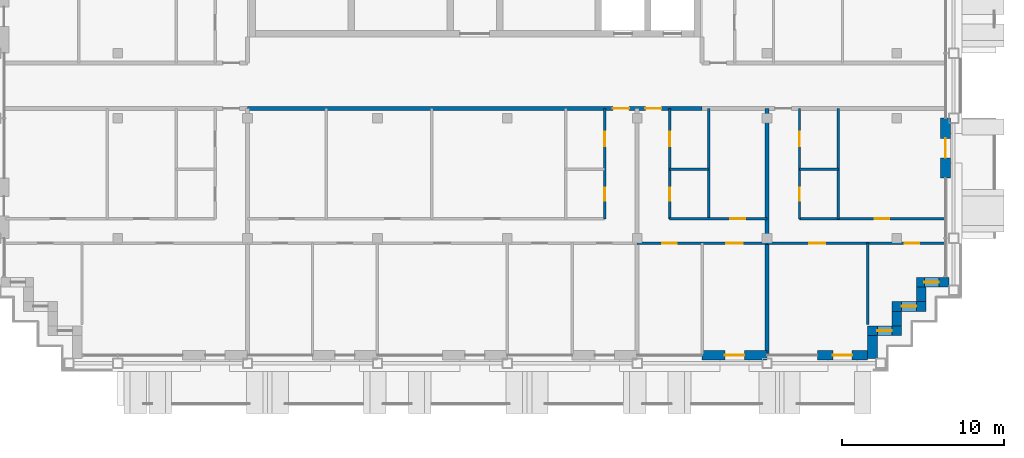
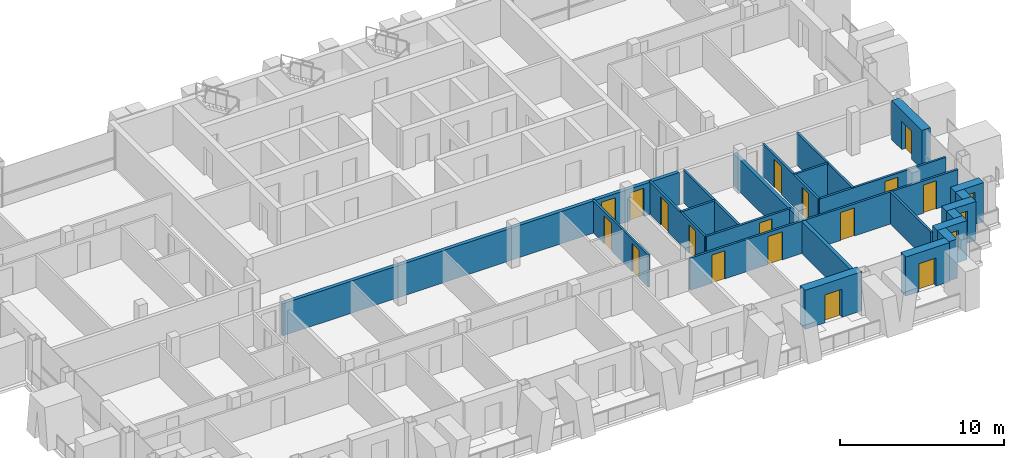
# One storey, part 9 of 15: 23 walls, 17 doors, 3 windows, 20 openings.
"""IFC4 building model written with IfcOpenShell, lengths in metres."""

from ifc_helpers import new_model, si_unit, direction, frame, frame_2d, origin, place, context, subcontext, project, spatial, rectangle, extrude, material, layer, layer_set, type_object, element, fill, save


model = new_model("IFC4")

# Units and contexts
model_context = context("Model", 3, precision=1e-05, world=origin(), true_north=direction((0.0, 1.0)))
body_context = subcontext(model_context, "Body", "Model", "MODEL_VIEW")
ifc_project = project(units=[si_unit("LENGTHUNIT", "METRE"), si_unit("AREAUNIT", "SQUARE_METRE"), si_unit("VOLUMEUNIT", "CUBIC_METRE"), si_unit("PLANEANGLEUNIT", "RADIAN"), si_unit("MASSUNIT", "GRAM", prefix="KILO")], contexts=[model_context])

# Site, building, storey
site_placement = place(None, origin())
site = spatial("IfcSite", under=ifc_project, at=site_placement, CompositionType="ELEMENT")
building_placement = place(site_placement, origin())
building = spatial("IfcBuilding", under=site, at=building_placement, Name="Vidyagriha Tower", CompositionType="ELEMENT")
storey_placement = place(building_placement, frame((0.0, 0.0, 210.800048828125)))
storey = spatial("IfcBuildingStorey", under=building, at=storey_placement, Name="L54", CompositionType="ELEMENT", Elevation=210.800048828125)

# Wall, opening, door
ifc_material_1 = material(Name="Precast concrete C40/50 with brick facing", Category="concrete")
ifc_layer_1 = layer(ifc_material_1, 0.60009765625)
ifc_layer_set_1 = layer_set([ifc_layer_1], Name="Precast concrete C40/50 with brick facing")
wall_type_1 = type_object("IfcWallType", Name="Brick-faced precast wall 600", PredefinedType="STANDARD", material=ifc_layer_set_1)
wall_1_placement = place(storey_placement, frame((14.0, -16.60009765625, 0.0)))
wall_1 = element("IfcWall", 1, at=wall_1_placement, inside=storey, type_object=wall_type_1, Name="Brick door bay wall L54 R23.11", PredefinedType="STANDARD", context=body_context, shape_type="SweptSolid", body=[
    extrude(rectangle(XDim=4.0, YDim=0.60009765625, at=frame_2d((2.0, 0.0))), origin(), (0.0, 0.0, 1.0), 2.919921875),
])
opening_1_placement = place(wall_1_placement, frame((1.39990234375, 0.0, 0.0)))
opening_1 = element("IfcOpeningElement", 2, at=opening_1_placement, cuts=wall_1, Name="Opening D54-65", PredefinedType="OPENING", context=body_context, shape_type="SweptSolid", body=[
    extrude(rectangle(XDim=1.199951171875, YDim=2.10009765625, at=frame_2d((0.60009765625, 1.050048828125))), frame((0.0, 0.31005859375, 0.0), z_axis=(0.0, -1.0, 0.0), x_axis=(1.0, 0.0, 0.0)), (0.0, 0.0, 1.0), 0.6201171875),
])
ifc_material_2 = material(Name="Aluminium framed glazed sliding door", Category="aluminium")
door_type_1 = type_object("IfcDoorType", Name="Balcony sliding door 1200x2100", OperationType="NOTDEFINED", PredefinedType="DOOR", material=ifc_material_2)
door_1_placement = place(opening_1_placement, origin())
door_1 = element("IfcDoor", 3, at=door_1_placement, inside=storey, type_object=door_type_1, Name="Door D54-65", OperationType="SLIDING_TO_LEFT", OverallHeight=2.10009765625, OverallWidth=1.199951171875, PredefinedType="DOOR", context=body_context, shape_type="SweptSolid", body=[
    extrude(rectangle(XDim=1.199951171875, YDim=2.10009765625, at=frame_2d((0.60009765625, 1.050048828125))), frame((0.0, 0.02490234375, 0.0), z_axis=(0.0, -1.0, 0.0), x_axis=(1.0, 0.0, 0.0)), (0.0, 0.0, 1.0), 0.050048828125),
])
fill(opening_1, door_1)

wall_2_placement = place(storey_placement, frame((21.10009765625, -16.60009765625, 0.0)))
wall_2 = element("IfcWall", 4, at=wall_2_placement, inside=storey, type_object=wall_type_1, Name="Brick door bay wall L54 R23.13", PredefinedType="STANDARD", context=body_context, shape_type="SweptSolid", body=[
    extrude(rectangle(XDim=3.099853515625, YDim=0.60009765625, at=frame_2d((1.5498046875, 0.0))), origin(), (0.0, 0.0, 1.0), 2.919921875),
])
opening_2_placement = place(wall_2_placement, frame((0.949951171875, 0.0, 0.0)))
opening_2 = element("IfcOpeningElement", 5, at=opening_2_placement, cuts=wall_2, Name="Opening D54-66", PredefinedType="OPENING", context=body_context, shape_type="SweptSolid", body=[
    extrude(rectangle(XDim=1.199951171875, YDim=2.10009765625, at=frame_2d((0.60009765625, 1.050048828125))), frame((0.0, 0.31005859375, 0.0), z_axis=(0.0, -1.0, 0.0), x_axis=(1.0, 0.0, 0.0)), (0.0, 0.0, 1.0), 0.6201171875),
])
door_2_placement = place(opening_2_placement, origin())
door_2 = element("IfcDoor", 6, at=door_2_placement, inside=storey, type_object=door_type_1, Name="Door D54-66", OperationType="SLIDING_TO_LEFT", OverallHeight=2.10009765625, OverallWidth=1.199951171875, PredefinedType="DOOR", context=body_context, shape_type="SweptSolid", body=[
    extrude(rectangle(XDim=1.199951171875, YDim=2.10009765625, at=frame_2d((0.60009765625, 1.050048828125))), frame((0.0, 0.02490234375, 0.0), z_axis=(0.0, -1.0, 0.0), x_axis=(1.0, 0.0, 0.0)), (0.0, 0.0, 1.0), 0.050048828125),
])
fill(opening_2, door_2)

# Wall
wall_3_placement = place(storey_placement, frame((24.5, -16.800048828125, 0.0), z_axis=(0.0, 0.0, 1.0), x_axis=(0.0, 1.0, 0.0)))
element("IfcWall", 7, at=wall_3_placement, inside=storey, type_object=wall_type_1, Name="Stepped corner wall L54 R24", PredefinedType="STANDARD", context=body_context, shape_type="SweptSolid", body=[
    extrude(rectangle(XDim=1.400146484375, YDim=0.60009765625, at=frame_2d((0.7001953125, 0.0))), origin(), (0.0, 0.0, 1.0), 2.919921875),
])

# Wall, opening, window
wall_4_placement = place(storey_placement, frame((24.199951171875, -15.10009765625, 0.0)))
wall_4 = element("IfcWall", 8, at=wall_4_placement, inside=storey, type_object=wall_type_1, Name="Stepped corner wall L54 R25", PredefinedType="STANDARD", context=body_context, shape_type="SweptSolid", body=[
    extrude(rectangle(XDim=2.10009765625, YDim=0.60009765625, at=frame_2d((1.050048828125, 0.0))), origin(), (0.0, 0.0, 1.0), 2.919921875),
])
opening_3_placement = place(wall_4_placement, frame((0.60009765625, 0.0, 0.89990234375)))
opening_3 = element("IfcOpeningElement", 9, at=opening_3_placement, cuts=wall_4, Name="Opening WN1", PredefinedType="OPENING", context=body_context, shape_type="SweptSolid", body=[
    extrude(rectangle(XDim=0.89990234375, YDim=1.5, at=frame_2d((0.449951171875, 0.75))), frame((0.0, 0.31005859375, 0.0), z_axis=(0.0, -1.0, 0.0), x_axis=(1.0, 0.0, 0.0)), (0.0, 0.0, 1.0), 0.6201171875),
])
ifc_material_3 = material(Name="Aluminium and glass window", Category="aluminium")
window_type = type_object("IfcWindowType", Name="Reveal window 900x1500", PartitioningType="NOTDEFINED", PredefinedType="WINDOW", material=ifc_material_3)
window_1_placement = place(opening_3_placement, origin())
window_1 = element("IfcWindow", 10, at=window_1_placement, inside=storey, type_object=window_type, Name="Reveal window L54 R25", OverallHeight=1.5, OverallWidth=0.89990234375, PartitioningType="SINGLE_PANEL", PredefinedType="WINDOW", context=body_context, shape_type="SweptSolid", body=[
    extrude(rectangle(XDim=0.89990234375, YDim=1.5, at=frame_2d((0.449951171875, 0.75))), frame((0.0, 0.030029296875, 0.0), z_axis=(0.0, -1.0, 0.0), x_axis=(1.0, 0.0, 0.0)), (0.0, 0.0, 1.0), 0.06005859375),
])
fill(opening_3, window_1)

# Wall
wall_5_placement = place(storey_placement, frame((26.0, -14.800048828125, 0.0), z_axis=(0.0, 0.0, 1.0), x_axis=(0.0, 1.0, 0.0)))
element("IfcWall", 11, at=wall_5_placement, inside=storey, type_object=wall_type_1, Name="Stepped corner wall L54 R26", PredefinedType="STANDARD", context=body_context, shape_type="SweptSolid", body=[
    extrude(rectangle(XDim=0.900146484375, YDim=0.60009765625, at=frame_2d((0.4501953125, 0.0))), origin(), (0.0, 0.0, 1.0), 2.919921875),
])

# Wall, opening, window
wall_6_placement = place(storey_placement, frame((25.699951171875, -13.60009765625, 0.0)))
wall_6 = element("IfcWall", 12, at=wall_6_placement, inside=storey, type_object=wall_type_1, Name="Stepped corner wall L54 R27", PredefinedType="STANDARD", context=body_context, shape_type="SweptSolid", body=[
    extrude(rectangle(XDim=2.10009765625, YDim=0.60009765625, at=frame_2d((1.050048828125, 0.0))), origin(), (0.0, 0.0, 1.0), 2.919921875),
])
opening_4_placement = place(wall_6_placement, frame((0.60009765625, 0.0, 0.89990234375)))
opening_4 = element("IfcOpeningElement", 13, at=opening_4_placement, cuts=wall_6, Name="Opening WN1", PredefinedType="OPENING", context=body_context, shape_type="SweptSolid", body=[
    extrude(rectangle(XDim=0.89990234375, YDim=1.5, at=frame_2d((0.449951171875, 0.75))), frame((0.0, 0.31005859375, 0.0), z_axis=(0.0, -1.0, 0.0), x_axis=(1.0, 0.0, 0.0)), (0.0, 0.0, 1.0), 0.6201171875),
])
window_2_placement = place(opening_4_placement, origin())
window_2 = element("IfcWindow", 14, at=window_2_placement, inside=storey, type_object=window_type, Name="Reveal window L54 R27", OverallHeight=1.5, OverallWidth=0.89990234375, PartitioningType="SINGLE_PANEL", PredefinedType="WINDOW", context=body_context, shape_type="SweptSolid", body=[
    extrude(rectangle(XDim=0.89990234375, YDim=1.5, at=frame_2d((0.449951171875, 0.75))), frame((0.0, 0.030029296875, 0.0), z_axis=(0.0, -1.0, 0.0), x_axis=(1.0, 0.0, 0.0)), (0.0, 0.0, 1.0), 0.06005859375),
])
fill(opening_4, window_2)

# Wall
wall_7_placement = place(storey_placement, frame((27.5, -13.300048828125, 0.0), z_axis=(0.0, 0.0, 1.0), x_axis=(0.0, 1.0, 0.0)))
element("IfcWall", 15, at=wall_7_placement, inside=storey, type_object=wall_type_1, Name="Stepped corner wall L54 R28", PredefinedType="STANDARD", context=body_context, shape_type="SweptSolid", body=[
    extrude(rectangle(XDim=0.900146484375, YDim=0.60009765625, at=frame_2d((0.4501953125, 0.0))), origin(), (0.0, 0.0, 1.0), 2.919921875),
])

# Wall, opening, window
wall_8_placement = place(storey_placement, frame((27.199951171875, -12.10009765625, 0.0)))
wall_8 = element("IfcWall", 16, at=wall_8_placement, inside=storey, type_object=wall_type_1, Name="Stepped corner wall L54 R29", PredefinedType="STANDARD", context=body_context, shape_type="SweptSolid", body=[
    extrude(rectangle(XDim=2.0, YDim=0.60009765625, at=frame_2d((1.0, 0.0))), origin(), (0.0, 0.0, 1.0), 2.919921875),
])
opening_5_placement = place(wall_8_placement, frame((0.489990234375, 0.0, 0.89990234375)))
opening_5 = element("IfcOpeningElement", 17, at=opening_5_placement, cuts=wall_8, Name="Opening WN1", PredefinedType="OPENING", context=body_context, shape_type="SweptSolid", body=[
    extrude(rectangle(XDim=0.89990234375, YDim=1.5, at=frame_2d((0.449951171875, 0.75))), frame((0.0, 0.31005859375, 0.0), z_axis=(0.0, -1.0, 0.0), x_axis=(1.0, 0.0, 0.0)), (0.0, 0.0, 1.0), 0.6201171875),
])
window_3_placement = place(opening_5_placement, origin())
window_3 = element("IfcWindow", 18, at=window_3_placement, inside=storey, type_object=window_type, Name="Reveal window L54 R29", OverallHeight=1.5, OverallWidth=0.89990234375, PartitioningType="SINGLE_PANEL", PredefinedType="WINDOW", context=body_context, shape_type="SweptSolid", body=[
    extrude(rectangle(XDim=0.89990234375, YDim=1.5, at=frame_2d((0.449951171875, 0.75))), frame((0.0, 0.030029296875, 0.0), z_axis=(0.0, -1.0, 0.0), x_axis=(1.0, 0.0, 0.0)), (0.0, 0.0, 1.0), 0.06005859375),
])
fill(opening_5, window_3)

# Wall, opening, door
wall_9_placement = place(storey_placement, frame((29.0, -5.699951171875, 0.0), z_axis=(0.0, 0.0, 1.0), x_axis=(0.0, 1.0, 0.0)))
wall_9 = element("IfcWall", 19, at=wall_9_placement, inside=storey, type_object=wall_type_1, Name="Brick door bay wall L54 R30.3", PredefinedType="STANDARD", context=body_context, shape_type="SweptSolid", body=[
    extrude(rectangle(XDim=3.699951171875, YDim=0.60009765625, at=frame_2d((1.85009765625, 0.0))), origin(), (0.0, 0.0, 1.0), 2.919921875),
])
opening_6_placement = place(wall_9_placement, frame((1.25, 0.0, 0.0)))
opening_6 = element("IfcOpeningElement", 20, at=opening_6_placement, cuts=wall_9, Name="Opening D54-67", PredefinedType="OPENING", context=body_context, shape_type="SweptSolid", body=[
    extrude(rectangle(XDim=1.199951171875, YDim=2.10009765625, at=frame_2d((0.60009765625, 1.050048828125))), frame((0.0, 0.31005859375, 0.0), z_axis=(0.0, -1.0, 0.0), x_axis=(1.0, 0.0, 0.0)), (0.0, 0.0, 1.0), 0.6201171875),
])
door_3_placement = place(opening_6_placement, origin())
door_3 = element("IfcDoor", 21, at=door_3_placement, inside=storey, type_object=door_type_1, Name="Door D54-67", OperationType="SLIDING_TO_LEFT", OverallHeight=2.10009765625, OverallWidth=1.199951171875, PredefinedType="DOOR", context=body_context, shape_type="SweptSolid", body=[
    extrude(rectangle(XDim=1.199951171875, YDim=2.10009765625, at=frame_2d((0.60009765625, 1.050048828125))), frame((0.0, 0.02490234375, 0.0), z_axis=(0.0, -1.0, 0.0), x_axis=(1.0, 0.0, 0.0)), (0.0, 0.0, 1.0), 0.050048828125),
])
fill(opening_6, door_3)

# Wall, openings, doors
ifc_material_4 = material(Name="Fired clay brick masonry", Category="masonry")
ifc_layer_2 = layer(ifc_material_4, 0.25)
ifc_layer_set_2 = layer_set([ifc_layer_2], Name="Fired clay brick masonry")
wall_type_2 = type_object("IfcWallType", Name="Fired clay brick corridor wall 250", PredefinedType="PARTITIONING", material=ifc_layer_set_2)
wall_10_placement = place(storey_placement, frame((14.0, -1.39990234375, 0.0), z_axis=(0.0, 0.0, 1.0), x_axis=(-1.0, 0.0, 0.0)))
wall_10 = element("IfcWall", 22, at=wall_10_placement, inside=storey, type_object=wall_type_2, Name="Wall all-L54-w096", PredefinedType="PARTITIONING", context=body_context, shape_type="SweptSolid", body=[
    extrude(rectangle(XDim=28.0, YDim=0.25, at=frame_2d((14.0, 0.0))), origin(), (0.0, 0.0, 1.0), 2.39990234375),
])
opening_7_placement = place(wall_10_placement, frame((4.5, 0.0, 0.0)))
opening_7 = element("IfcOpeningElement", 23, at=opening_7_placement, cuts=wall_10, Name="Opening D54-32", PredefinedType="OPENING", context=body_context, shape_type="SweptSolid", body=[
    extrude(rectangle(XDim=1.0, YDim=2.10009765625, at=frame_2d((0.5, 1.050048828125))), frame((0.0, 0.135009765625, 0.0), z_axis=(0.0, -1.0, 0.0), x_axis=(1.0, 0.0, 0.0)), (0.0, 0.0, 1.0), 0.27001953125),
])
opening_8_placement = place(wall_10_placement, frame((2.5, 0.0, 0.0)))
opening_8 = element("IfcOpeningElement", 24, at=opening_8_placement, cuts=wall_10, Name="Opening D54-38", PredefinedType="OPENING", context=body_context, shape_type="SweptSolid", body=[
    extrude(rectangle(XDim=1.0, YDim=2.10009765625, at=frame_2d((0.5, 1.050048828125))), frame((0.0, 0.135009765625, 0.0), z_axis=(0.0, -1.0, 0.0), x_axis=(1.0, 0.0, 0.0)), (0.0, 0.0, 1.0), 0.27001953125),
])
ifc_material_5 = material(Name="Fire-rated timber door leaf EI 60", Category="wood")
door_type_2 = type_object("IfcDoorType", Name="Flat entrance fire door 1000x2100", OperationType="NOTDEFINED", PredefinedType="DOOR", material=ifc_material_5)
door_4_placement = place(opening_7_placement, origin())
door_4 = element("IfcDoor", 25, at=door_4_placement, inside=storey, type_object=door_type_2, Name="Door D54-32", OperationType="SINGLE_SWING_LEFT", OverallHeight=2.10009765625, OverallWidth=1.0, PredefinedType="DOOR", context=body_context, shape_type="SweptSolid", body=[
    extrude(rectangle(XDim=1.0, YDim=2.10009765625, at=frame_2d((0.5, 1.050048828125))), frame((0.0, 0.02490234375, 0.0), z_axis=(0.0, -1.0, 0.0), x_axis=(1.0, 0.0, 0.0)), (0.0, 0.0, 1.0), 0.050048828125),
])
fill(opening_7, door_4)
door_5_placement = place(opening_8_placement, origin())
door_5 = element("IfcDoor", 26, at=door_5_placement, inside=storey, type_object=door_type_2, Name="Door D54-38", OperationType="SINGLE_SWING_RIGHT", OverallHeight=2.10009765625, OverallWidth=1.0, PredefinedType="DOOR", context=body_context, shape_type="SweptSolid", body=[
    extrude(rectangle(XDim=1.0, YDim=2.10009765625, at=frame_2d((0.5, 1.050048828125))), frame((0.0, 0.02490234375, 0.0), z_axis=(0.0, -1.0, 0.0), x_axis=(1.0, 0.0, 0.0)), (0.0, 0.0, 1.0), 0.050048828125),
])
fill(opening_8, door_5)

# Walls
ifc_material_6 = material(Name="Fired clay brick masonry", Category="masonry")
ifc_layer_3 = layer(ifc_material_6, 0.25)
ifc_layer_set_3 = layer_set([ifc_layer_3], Name="Fired clay brick masonry")
wall_type_3 = type_object("IfcWallType", Name="Fired clay brick demising wall 250", PredefinedType="PARTITIONING", material=ifc_layer_set_3)
wall_11_placement = place(storey_placement, frame((18.0, -1.39990234375, 0.0), z_axis=(0.0, 0.0, 1.0), x_axis=(0.0, -1.0, 0.0)))
element("IfcWall", 27, at=wall_11_placement, inside=storey, type_object=wall_type_3, Name="Wall all-L54-w063", PredefinedType="PARTITIONING", context=body_context, shape_type="SweptSolid", body=[
    extrude(rectangle(XDim=15.110107421875, YDim=0.25, at=frame_2d((7.55517578125, 0.0))), origin(), (0.0, 0.0, 1.0), 2.39990234375),
])
ifc_material_7 = material(Name="Gypsum board partition")
ifc_layer_4 = layer(ifc_material_7, 0.14990234375)
ifc_layer_set_4 = layer_set([ifc_layer_4], Name="Gypsum board partition")
wall_type_4 = type_object("IfcWallType", Name="Gypsum board partition 150", PredefinedType="PARTITIONING", material=ifc_layer_set_4)
wall_12_placement = place(storey_placement, frame((14.39990234375, -5.14990234375, 0.0), z_axis=(0.0, 0.0, 1.0), x_axis=(-1.0, 0.0, 0.0)))
element("IfcWall", 28, at=wall_12_placement, inside=storey, type_object=wall_type_4, Name="Wall all-L54-w041", PredefinedType="PARTITIONING", context=body_context, shape_type="SweptSolid", body=[
    extrude(rectangle(XDim=2.39990234375, YDim=0.14990234375, at=frame_2d((1.199951171875, 0.0))), origin(), (0.0, 0.0, 1.0), 2.39990234375),
])
wall_13_placement = place(storey_placement, frame((14.39990234375, -1.39990234375, 0.0), z_axis=(0.0, 0.0, 1.0), x_axis=(0.0, -1.0, 0.0)))
element("IfcWall", 29, at=wall_13_placement, inside=storey, type_object=wall_type_4, Name="Wall all-L54-w042", PredefinedType="PARTITIONING", context=body_context, shape_type="SweptSolid", body=[
    extrude(rectangle(XDim=6.800048828125, YDim=0.14990234375, at=frame_2d((3.39990234375, 0.0))), origin(), (0.0, 0.0, 1.0), 2.39990234375),
])

# Wall, opening, door
wall_14_placement = place(storey_placement, frame((12.0, -8.199951171875, 0.0)))
wall_14 = element("IfcWall", 30, at=wall_14_placement, inside=storey, type_object=wall_type_4, Name="Wall all-L54-w043", PredefinedType="PARTITIONING", context=body_context, shape_type="SweptSolid", body=[
    extrude(rectangle(XDim=6.0, YDim=0.14990234375, at=frame_2d((3.0, 0.0))), origin(), (0.0, 0.0, 1.0), 2.39990234375),
])
opening_9_placement = place(wall_14_placement, frame((3.75, 0.0, 0.0)))
opening_9 = element("IfcOpeningElement", 31, at=opening_9_placement, cuts=wall_14, Name="Opening D54-35", PredefinedType="OPENING", context=body_context, shape_type="SweptSolid", body=[
    extrude(rectangle(XDim=0.89990234375, YDim=2.10009765625, at=frame_2d((0.449951171875, 1.050048828125))), frame((0.0, 0.0849609375, 0.0), z_axis=(0.0, -1.0, 0.0), x_axis=(1.0, 0.0, 0.0)), (0.0, 0.0, 1.0), 0.169921875),
])
ifc_material_8 = material(Name="Timber door leaf", Category="wood")
door_type_3 = type_object("IfcDoorType", Name="Room door 900x2100", OperationType="NOTDEFINED", PredefinedType="DOOR", material=ifc_material_8)
door_6_placement = place(opening_9_placement, origin())
door_6 = element("IfcDoor", 32, at=door_6_placement, inside=storey, type_object=door_type_3, Name="Door D54-35", OperationType="SINGLE_SWING_LEFT", OverallHeight=2.10009765625, OverallWidth=0.89990234375, PredefinedType="DOOR", context=body_context, shape_type="SweptSolid", body=[
    extrude(rectangle(XDim=0.89990234375, YDim=2.10009765625, at=frame_2d((0.449951171875, 1.050048828125))), frame((0.0, 0.02490234375, 0.0), z_axis=(0.0, -1.0, 0.0), x_axis=(1.0, 0.0, 0.0)), (0.0, 0.0, 1.0), 0.050048828125),
])
fill(opening_9, door_6)

# Wall, openings, doors
wall_15_placement = place(storey_placement, frame((18.0, -9.699951171875, 0.0), z_axis=(0.0, 0.0, 1.0), x_axis=(-1.0, 0.0, 0.0)))
wall_15 = element("IfcWall", 33, at=wall_15_placement, inside=storey, type_object=wall_type_4, Name="Wall all-L54-w045", PredefinedType="PARTITIONING", context=body_context, shape_type="SweptSolid", body=[
    extrude(rectangle(XDim=8.0, YDim=0.14990234375, at=frame_2d((4.0, 0.0))), origin(), (0.0, 0.0, 1.0), 2.39990234375),
])
opening_10_placement = place(wall_15_placement, frame((5.550048828125, 0.0, 0.0)))
opening_10 = element("IfcOpeningElement", 34, at=opening_10_placement, cuts=wall_15, Name="Opening D54-36", PredefinedType="OPENING", context=body_context, shape_type="SweptSolid", body=[
    extrude(rectangle(XDim=0.89990234375, YDim=2.10009765625, at=frame_2d((0.449951171875, 1.050048828125))), frame((0.0, 0.0849609375, 0.0), z_axis=(0.0, -1.0, 0.0), x_axis=(1.0, 0.0, 0.0)), (0.0, 0.0, 1.0), 0.169921875),
])
opening_11_placement = place(wall_15_placement, frame((1.5, 0.0, 0.0)))
opening_11 = element("IfcOpeningElement", 35, at=opening_11_placement, cuts=wall_15, Name="Opening D54-37", PredefinedType="OPENING", context=body_context, shape_type="SweptSolid", body=[
    extrude(rectangle(XDim=1.0, YDim=2.10009765625, at=frame_2d((0.5, 1.050048828125))), frame((0.0, 0.0849609375, 0.0), z_axis=(0.0, -1.0, 0.0), x_axis=(1.0, 0.0, 0.0)), (0.0, 0.0, 1.0), 0.169921875),
])
ifc_material_9 = material(Name="Timber door leaf", Category="wood")
door_type_4 = type_object("IfcDoorType", Name="Room door 1000x2100", OperationType="NOTDEFINED", PredefinedType="DOOR", material=ifc_material_9)
door_7_placement = place(opening_11_placement, origin())
door_7 = element("IfcDoor", 36, at=door_7_placement, inside=storey, type_object=door_type_4, Name="Door D54-37", OperationType="SINGLE_SWING_RIGHT", OverallHeight=2.10009765625, OverallWidth=1.0, PredefinedType="DOOR", context=body_context, shape_type="SweptSolid", body=[
    extrude(rectangle(XDim=1.0, YDim=2.10009765625, at=frame_2d((0.5, 1.050048828125))), frame((0.0, 0.02490234375, 0.0), z_axis=(0.0, -1.0, 0.0), x_axis=(1.0, 0.0, 0.0)), (0.0, 0.0, 1.0), 0.050048828125),
])
fill(opening_11, door_7)
door_8_placement = place(opening_10_placement, origin())
door_8 = element("IfcDoor", 37, at=door_8_placement, inside=storey, type_object=door_type_3, Name="Door D54-36", OperationType="SINGLE_SWING_RIGHT", OverallHeight=2.10009765625, OverallWidth=0.89990234375, PredefinedType="DOOR", context=body_context, shape_type="SweptSolid", body=[
    extrude(rectangle(XDim=0.89990234375, YDim=2.10009765625, at=frame_2d((0.449951171875, 1.050048828125))), frame((0.0, 0.02490234375, 0.0), z_axis=(0.0, -1.0, 0.0), x_axis=(1.0, 0.0, 0.0)), (0.0, 0.0, 1.0), 0.050048828125),
])
fill(opening_10, door_8)

# Walls
wall_16_placement = place(storey_placement, frame((22.39990234375, -5.14990234375, 0.0), z_axis=(0.0, 0.0, 1.0), x_axis=(-1.0, 0.0, 0.0)))
element("IfcWall", 38, at=wall_16_placement, inside=storey, type_object=wall_type_4, Name="Wall all-L54-w054", PredefinedType="PARTITIONING", context=body_context, shape_type="SweptSolid", body=[
    extrude(rectangle(XDim=2.39990234375, YDim=0.14990234375, at=frame_2d((1.199951171875, 0.0))), origin(), (0.0, 0.0, 1.0), 2.39990234375),
])
wall_17_placement = place(storey_placement, frame((22.39990234375, -1.39990234375, 0.0), z_axis=(0.0, 0.0, 1.0), x_axis=(0.0, -1.0, 0.0)))
element("IfcWall", 39, at=wall_17_placement, inside=storey, type_object=wall_type_4, Name="Wall all-L54-w055", PredefinedType="PARTITIONING", context=body_context, shape_type="SweptSolid", body=[
    extrude(rectangle(XDim=6.800048828125, YDim=0.14990234375, at=frame_2d((3.39990234375, 0.0))), origin(), (0.0, 0.0, 1.0), 2.39990234375),
])

# Wall, opening, door
wall_18_placement = place(storey_placement, frame((20.0, -8.199951171875, 0.0)))
wall_18 = element("IfcWall", 40, at=wall_18_placement, inside=storey, type_object=wall_type_4, Name="Wall all-L54-w056", PredefinedType="PARTITIONING", context=body_context, shape_type="SweptSolid", body=[
    extrude(rectangle(XDim=8.919921875, YDim=0.14990234375, at=frame_2d((4.4599609375, 0.0))), origin(), (0.0, 0.0, 1.0), 2.39990234375),
])
opening_12_placement = place(wall_18_placement, frame((4.6240234375, 0.0, 0.0)))
opening_12 = element("IfcOpeningElement", 41, at=opening_12_placement, cuts=wall_18, Name="Opening D54-41", PredefinedType="OPENING", context=body_context, shape_type="SweptSolid", body=[
    extrude(rectangle(XDim=0.89990234375, YDim=2.10009765625, at=frame_2d((0.449951171875, 1.050048828125))), frame((0.0, 0.0849609375, 0.0), z_axis=(0.0, -1.0, 0.0), x_axis=(1.0, 0.0, 0.0)), (0.0, 0.0, 1.0), 0.169921875),
])
door_9_placement = place(opening_12_placement, origin())
door_9 = element("IfcDoor", 42, at=door_9_placement, inside=storey, type_object=door_type_3, Name="Door D54-41", OperationType="SINGLE_SWING_LEFT", OverallHeight=2.10009765625, OverallWidth=0.89990234375, PredefinedType="DOOR", context=body_context, shape_type="SweptSolid", body=[
    extrude(rectangle(XDim=0.89990234375, YDim=2.10009765625, at=frame_2d((0.449951171875, 1.050048828125))), frame((0.0, 0.02490234375, 0.0), z_axis=(0.0, -1.0, 0.0), x_axis=(1.0, 0.0, 0.0)), (0.0, 0.0, 1.0), 0.050048828125),
])
fill(opening_12, door_9)

# Wall, openings, doors
wall_19_placement = place(storey_placement, frame((28.919921875, -9.699951171875, 0.0), z_axis=(0.0, 0.0, 1.0), x_axis=(-1.0, 0.0, 0.0)))
wall_19 = element("IfcWall", 43, at=wall_19_placement, inside=storey, type_object=wall_type_4, Name="Wall all-L54-w058", PredefinedType="PARTITIONING", context=body_context, shape_type="SweptSolid", body=[
    extrude(rectangle(XDim=10.919921875, YDim=0.14990234375, at=frame_2d((5.4599609375, 0.0))), origin(), (0.0, 0.0, 1.0), 2.39990234375),
])
opening_13_placement = place(wall_19_placement, frame((7.320068359375, 0.0, 0.0)))
opening_13 = element("IfcOpeningElement", 44, at=opening_13_placement, cuts=wall_19, Name="Opening D54-42", PredefinedType="OPENING", context=body_context, shape_type="SweptSolid", body=[
    extrude(rectangle(XDim=1.0, YDim=2.10009765625, at=frame_2d((0.5, 1.050048828125))), frame((0.0, 0.0849609375, 0.0), z_axis=(0.0, -1.0, 0.0), x_axis=(1.0, 0.0, 0.0)), (0.0, 0.0, 1.0), 0.169921875),
])
opening_14_placement = place(wall_19_placement, frame((1.5439453125, 0.0, 0.0)))
opening_14 = element("IfcOpeningElement", 45, at=opening_14_placement, cuts=wall_19, Name="Opening D54-43", PredefinedType="OPENING", context=body_context, shape_type="SweptSolid", body=[
    extrude(rectangle(XDim=0.89990234375, YDim=2.10009765625, at=frame_2d((0.449951171875, 1.050048828125))), frame((0.0, 0.0849609375, 0.0), z_axis=(0.0, -1.0, 0.0), x_axis=(1.0, 0.0, 0.0)), (0.0, 0.0, 1.0), 0.169921875),
])
door_10_placement = place(opening_13_placement, origin())
door_10 = element("IfcDoor", 46, at=door_10_placement, inside=storey, type_object=door_type_4, Name="Door D54-42", OperationType="SINGLE_SWING_LEFT", OverallHeight=2.10009765625, OverallWidth=1.0, PredefinedType="DOOR", context=body_context, shape_type="SweptSolid", body=[
    extrude(rectangle(XDim=1.0, YDim=2.10009765625, at=frame_2d((0.5, 1.050048828125))), frame((0.0, 0.02490234375, 0.0), z_axis=(0.0, -1.0, 0.0), x_axis=(1.0, 0.0, 0.0)), (0.0, 0.0, 1.0), 0.050048828125),
])
fill(opening_13, door_10)
door_11_placement = place(opening_14_placement, origin())
door_11 = element("IfcDoor", 47, at=door_11_placement, inside=storey, type_object=door_type_3, Name="Door D54-43", OperationType="SINGLE_SWING_LEFT", OverallHeight=2.10009765625, OverallWidth=0.89990234375, PredefinedType="DOOR", context=body_context, shape_type="SweptSolid", body=[
    extrude(rectangle(XDim=0.89990234375, YDim=2.10009765625, at=frame_2d((0.449951171875, 1.050048828125))), frame((0.0, 0.02490234375, 0.0), z_axis=(0.0, -1.0, 0.0), x_axis=(1.0, 0.0, 0.0)), (0.0, 0.0, 1.0), 0.050048828125),
])
fill(opening_14, door_11)

# Wall
wall_20_placement = place(storey_placement, frame((24.199951171875, -9.699951171875, 0.0), z_axis=(0.0, 0.0, 1.0), x_axis=(0.0, -1.0, 0.0)))
element("IfcWall", 48, at=wall_20_placement, inside=storey, type_object=wall_type_4, Name="Wall all-L54-w061", PredefinedType="PARTITIONING", context=body_context, shape_type="SweptSolid", body=[
    extrude(rectangle(XDim=5.02001953125, YDim=0.14990234375, at=frame_2d((2.510009765625, 0.0))), origin(), (0.0, 0.0, 1.0), 2.39990234375),
])

# Wall, openings, doors
ifc_material_10 = material(Name="Moisture resistant gypsum board partition")
ifc_layer_5 = layer(ifc_material_10, 0.14990234375)
ifc_layer_set_5 = layer_set([ifc_layer_5], Name="Moisture resistant gypsum board partition")
wall_type_5 = type_object("IfcWallType", Name="Gypsum board wet-area partition 150", PredefinedType="PARTITIONING", material=ifc_layer_set_5)
wall_21_placement = place(storey_placement, frame((8.0, -8.199951171875, 0.0), z_axis=(0.0, 0.0, 1.0), x_axis=(0.0, 1.0, 0.0)))
wall_21 = element("IfcWall", 49, at=wall_21_placement, inside=storey, type_object=wall_type_5, Name="Wall all-L54-w015", PredefinedType="PARTITIONING", context=body_context, shape_type="SweptSolid", body=[
    extrude(rectangle(XDim=6.800048828125, YDim=0.14990234375, at=frame_2d((3.39990234375, 0.0))), origin(), (0.0, 0.0, 1.0), 2.39990234375),
])
opening_15_placement = place(wall_21_placement, frame((4.47509765625, 0.0, 0.0)))
opening_15 = element("IfcOpeningElement", 50, at=opening_15_placement, cuts=wall_21, Name="Opening D54-22", PredefinedType="OPENING", context=body_context, shape_type="SweptSolid", body=[
    extrude(rectangle(XDim=0.89990234375, YDim=2.10009765625, at=frame_2d((0.449951171875, 1.050048828125))), frame((0.0, 0.0849609375, 0.0), z_axis=(0.0, -1.0, 0.0), x_axis=(1.0, 0.0, 0.0)), (0.0, 0.0, 1.0), 0.169921875),
])
opening_16_placement = place(wall_21_placement, frame((1.125, 0.0, 0.0)))
opening_16 = element("IfcOpeningElement", 51, at=opening_16_placement, cuts=wall_21, Name="Opening D54-23", PredefinedType="OPENING", context=body_context, shape_type="SweptSolid", body=[
    extrude(rectangle(XDim=0.800048828125, YDim=2.10009765625, at=frame_2d((0.39990234375, 1.050048828125))), frame((0.0, 0.0849609375, 0.0), z_axis=(0.0, -1.0, 0.0), x_axis=(1.0, 0.0, 0.0)), (0.0, 0.0, 1.0), 0.169921875),
])
ifc_material_11 = material(Name="Timber door leaf", Category="wood")
door_type_5 = type_object("IfcDoorType", Name="Bathroom door 800x2100", OperationType="NOTDEFINED", PredefinedType="DOOR", material=ifc_material_11)
door_12_placement = place(opening_16_placement, origin())
door_12 = element("IfcDoor", 52, at=door_12_placement, inside=storey, type_object=door_type_5, Name="Door D54-23", OperationType="SINGLE_SWING_RIGHT", OverallHeight=2.10009765625, OverallWidth=0.800048828125, PredefinedType="DOOR", context=body_context, shape_type="SweptSolid", body=[
    extrude(rectangle(XDim=0.800048828125, YDim=2.10009765625, at=frame_2d((0.39990234375, 1.050048828125))), frame((0.0, 0.02490234375, 0.0), z_axis=(0.0, -1.0, 0.0), x_axis=(1.0, 0.0, 0.0)), (0.0, 0.0, 1.0), 0.050048828125),
])
fill(opening_16, door_12)
ifc_material_12 = material(Name="Timber door leaf", Category="wood")
door_type_6 = type_object("IfcDoorType", Name="Kitchen door 900x2100", OperationType="NOTDEFINED", PredefinedType="DOOR", material=ifc_material_12)
door_13_placement = place(opening_15_placement, origin())
door_13 = element("IfcDoor", 53, at=door_13_placement, inside=storey, type_object=door_type_6, Name="Door D54-22", OperationType="SINGLE_SWING_LEFT", OverallHeight=2.10009765625, OverallWidth=0.89990234375, PredefinedType="DOOR", context=body_context, shape_type="SweptSolid", body=[
    extrude(rectangle(XDim=0.89990234375, YDim=2.10009765625, at=frame_2d((0.449951171875, 1.050048828125))), frame((0.0, 0.02490234375, 0.0), z_axis=(0.0, -1.0, 0.0), x_axis=(1.0, 0.0, 0.0)), (0.0, 0.0, 1.0), 0.050048828125),
])
fill(opening_15, door_13)

wall_22_placement = place(storey_placement, frame((12.0, -1.39990234375, 0.0), z_axis=(0.0, 0.0, 1.0), x_axis=(0.0, -1.0, 0.0)))
wall_22 = element("IfcWall", 54, at=wall_22_placement, inside=storey, type_object=wall_type_5, Name="Wall all-L54-w038", PredefinedType="PARTITIONING", context=body_context, shape_type="SweptSolid", body=[
    extrude(rectangle(XDim=6.800048828125, YDim=0.14990234375, at=frame_2d((3.39990234375, 0.0))), origin(), (0.0, 0.0, 1.0), 2.39990234375),
])
opening_17_placement = place(wall_22_placement, frame((1.425048828125, 0.0, 0.0)))
opening_17 = element("IfcOpeningElement", 55, at=opening_17_placement, cuts=wall_22, Name="Opening D54-33", PredefinedType="OPENING", context=body_context, shape_type="SweptSolid", body=[
    extrude(rectangle(XDim=0.89990234375, YDim=2.10009765625, at=frame_2d((0.449951171875, 1.050048828125))), frame((0.0, 0.0849609375, 0.0), z_axis=(0.0, -1.0, 0.0), x_axis=(1.0, 0.0, 0.0)), (0.0, 0.0, 1.0), 0.169921875),
])
opening_18_placement = place(wall_22_placement, frame((4.875, 0.0, 0.0)))
opening_18 = element("IfcOpeningElement", 56, at=opening_18_placement, cuts=wall_22, Name="Opening D54-34", PredefinedType="OPENING", context=body_context, shape_type="SweptSolid", body=[
    extrude(rectangle(XDim=0.800048828125, YDim=2.10009765625, at=frame_2d((0.39990234375, 1.050048828125))), frame((0.0, 0.0849609375, 0.0), z_axis=(0.0, -1.0, 0.0), x_axis=(1.0, 0.0, 0.0)), (0.0, 0.0, 1.0), 0.169921875),
])
door_14_placement = place(opening_18_placement, origin())
door_14 = element("IfcDoor", 57, at=door_14_placement, inside=storey, type_object=door_type_5, Name="Door D54-34", OperationType="SINGLE_SWING_RIGHT", OverallHeight=2.10009765625, OverallWidth=0.800048828125, PredefinedType="DOOR", context=body_context, shape_type="SweptSolid", body=[
    extrude(rectangle(XDim=0.800048828125, YDim=2.10009765625, at=frame_2d((0.39990234375, 1.050048828125))), frame((0.0, 0.02490234375, 0.0), z_axis=(0.0, -1.0, 0.0), x_axis=(1.0, 0.0, 0.0)), (0.0, 0.0, 1.0), 0.050048828125),
])
fill(opening_18, door_14)
door_15_placement = place(opening_17_placement, origin())
door_15 = element("IfcDoor", 58, at=door_15_placement, inside=storey, type_object=door_type_6, Name="Door D54-33", OperationType="SINGLE_SWING_LEFT", OverallHeight=2.10009765625, OverallWidth=0.89990234375, PredefinedType="DOOR", context=body_context, shape_type="SweptSolid", body=[
    extrude(rectangle(XDim=0.89990234375, YDim=2.10009765625, at=frame_2d((0.449951171875, 1.050048828125))), frame((0.0, 0.02490234375, 0.0), z_axis=(0.0, -1.0, 0.0), x_axis=(1.0, 0.0, 0.0)), (0.0, 0.0, 1.0), 0.050048828125),
])
fill(opening_17, door_15)

wall_23_placement = place(storey_placement, frame((20.0, -1.39990234375, 0.0), z_axis=(0.0, 0.0, 1.0), x_axis=(0.0, -1.0, 0.0)))
wall_23 = element("IfcWall", 59, at=wall_23_placement, inside=storey, type_object=wall_type_5, Name="Wall all-L54-w051", PredefinedType="PARTITIONING", context=body_context, shape_type="SweptSolid", body=[
    extrude(rectangle(XDim=6.800048828125, YDim=0.14990234375, at=frame_2d((3.39990234375, 0.0))), origin(), (0.0, 0.0, 1.0), 2.39990234375),
])
opening_19_placement = place(wall_23_placement, frame((1.425048828125, 0.0, 0.0)))
opening_19 = element("IfcOpeningElement", 60, at=opening_19_placement, cuts=wall_23, Name="Opening D54-39", PredefinedType="OPENING", context=body_context, shape_type="SweptSolid", body=[
    extrude(rectangle(XDim=0.89990234375, YDim=2.10009765625, at=frame_2d((0.449951171875, 1.050048828125))), frame((0.0, 0.0849609375, 0.0), z_axis=(0.0, -1.0, 0.0), x_axis=(1.0, 0.0, 0.0)), (0.0, 0.0, 1.0), 0.169921875),
])
opening_20_placement = place(wall_23_placement, frame((4.875, 0.0, 0.0)))
opening_20 = element("IfcOpeningElement", 61, at=opening_20_placement, cuts=wall_23, Name="Opening D54-40", PredefinedType="OPENING", context=body_context, shape_type="SweptSolid", body=[
    extrude(rectangle(XDim=0.800048828125, YDim=2.10009765625, at=frame_2d((0.39990234375, 1.050048828125))), frame((0.0, 0.0849609375, 0.0), z_axis=(0.0, -1.0, 0.0), x_axis=(1.0, 0.0, 0.0)), (0.0, 0.0, 1.0), 0.169921875),
])
door_16_placement = place(opening_20_placement, origin())
door_16 = element("IfcDoor", 62, at=door_16_placement, inside=storey, type_object=door_type_5, Name="Door D54-40", OperationType="SINGLE_SWING_RIGHT", OverallHeight=2.10009765625, OverallWidth=0.800048828125, PredefinedType="DOOR", context=body_context, shape_type="SweptSolid", body=[
    extrude(rectangle(XDim=0.800048828125, YDim=2.10009765625, at=frame_2d((0.39990234375, 1.050048828125))), frame((0.0, 0.02490234375, 0.0), z_axis=(0.0, -1.0, 0.0), x_axis=(1.0, 0.0, 0.0)), (0.0, 0.0, 1.0), 0.050048828125),
])
fill(opening_20, door_16)
door_17_placement = place(opening_19_placement, origin())
door_17 = element("IfcDoor", 63, at=door_17_placement, inside=storey, type_object=door_type_6, Name="Door D54-39", OperationType="SINGLE_SWING_LEFT", OverallHeight=2.10009765625, OverallWidth=0.89990234375, PredefinedType="DOOR", context=body_context, shape_type="SweptSolid", body=[
    extrude(rectangle(XDim=0.89990234375, YDim=2.10009765625, at=frame_2d((0.449951171875, 1.050048828125))), frame((0.0, 0.02490234375, 0.0), z_axis=(0.0, -1.0, 0.0), x_axis=(1.0, 0.0, 0.0)), (0.0, 0.0, 1.0), 0.050048828125),
])
fill(opening_19, door_17)

save(model, "model.ifc")
